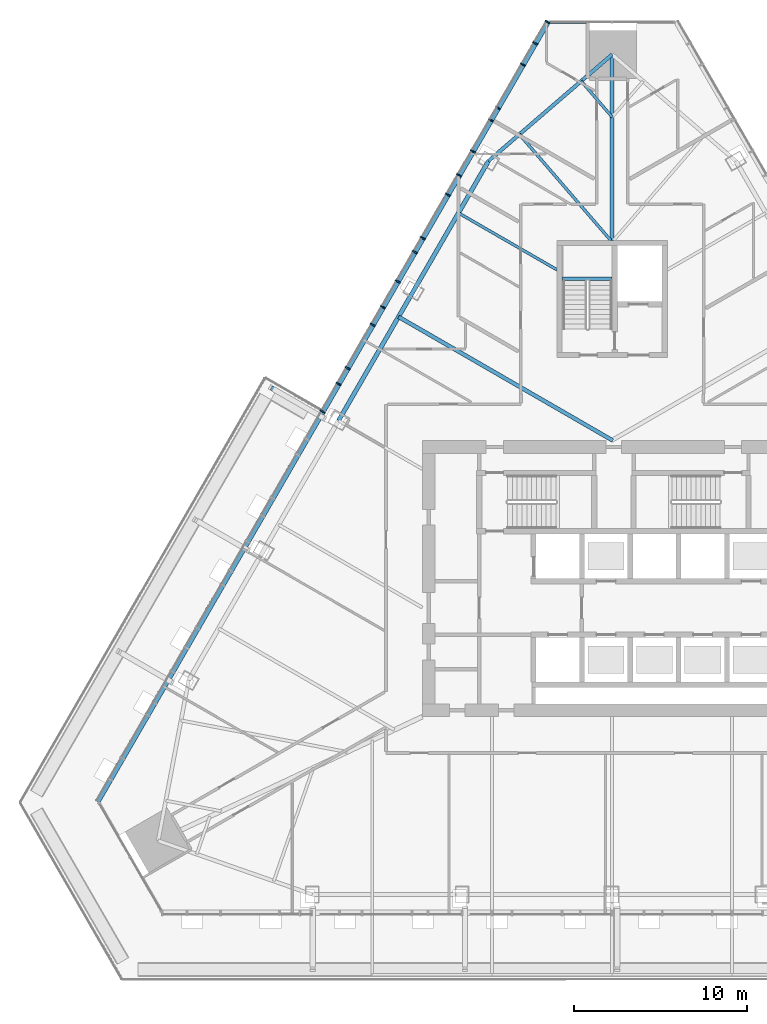
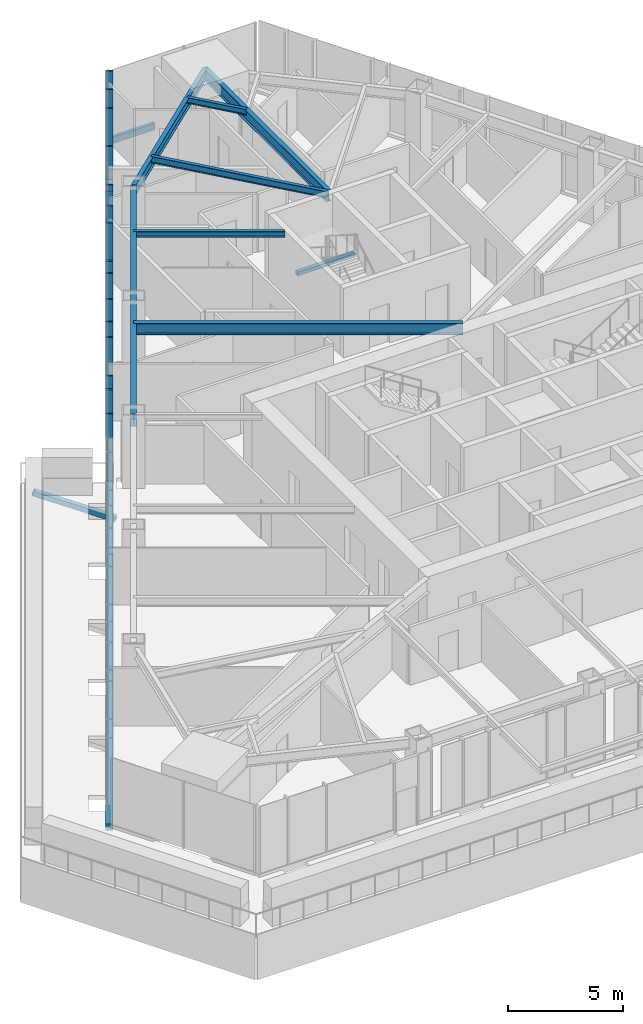
# One storey, part 6 of 23: 20 members, 8 beams, 2 elements without a shape of their own.
"""IFC4 building model written with IfcOpenShell, lengths in metres."""

from ifc_helpers import new_model, si_unit, direction, frame, origin, origin_2d, place, context, subcontext, project, spatial, rectangle, hollow_rectangle, i_section, extrude, material, layer, layer_set, material_profile, profile_set, type_object, element, aggregate, save


model = new_model("IFC4")

# Units and contexts
model_context = context("Model", 3, precision=1e-05, world=origin(), true_north=direction((0.0, 1.0)))
body_context = subcontext(model_context, "Body", "Model", "MODEL_VIEW")
ifc_project = project(units=[si_unit("LENGTHUNIT", "METRE"), si_unit("AREAUNIT", "SQUARE_METRE"), si_unit("VOLUMEUNIT", "CUBIC_METRE"), si_unit("PLANEANGLEUNIT", "RADIAN"), si_unit("MASSUNIT", "GRAM", prefix="KILO")], contexts=[model_context])

# Site, building, storey
site_placement = place(None, origin())
site = spatial("IfcSite", under=ifc_project, at=site_placement, CompositionType="ELEMENT")
building_placement = place(site_placement, origin())
building = spatial("IfcBuilding", under=site, at=building_placement, Name="Firuza Gate Tower and Library", CompositionType="ELEMENT")
storey_placement = place(building_placement, frame((0.0, 0.0, 190.89990234375)))
storey = spatial("IfcBuildingStorey", under=building, at=storey_placement, Name="L44", CompositionType="ELEMENT", Elevation=190.89990234375)

# Curtain wall, members
ifc_material_1 = material(Name="Aluminium 6063-T6", Category="aluminium")
ifc_layer_1 = layer(ifc_material_1, 0.14990234375)
ifc_layer_set_1 = layer_set([ifc_layer_1], Name="Unitised curtain wall, hotel")
curtain_wall_type_1 = type_object("IfcCurtainWallType", Name="Unitised curtain wall, hotel", PredefinedType="NOTDEFINED", material=ifc_layer_set_1)
placement = place(storey_placement, origin())
curtain_wall_1 = element("IfcCurtainWall", 1, at=placement, inside=storey, type_object=curtain_wall_type_1, Name="CW2 L44 W face", PredefinedType="NOTDEFINED")
ifc_material_2 = material(Name="Aluminium 6063-T6", Category="aluminium")
ifc_material_profile_1 = material_profile(ifc_material_2, rectangle(XDim=0.320068359375, YDim=0.080078125, at=origin_2d()))
ifc_profile_set_1 = profile_set([ifc_material_profile_1], Name="Aluminium 6063-T6")
member_type_1 = type_object("IfcMemberType", Name="Curtain wall mullion 80x320", PredefinedType="MULLION", material=ifc_profile_set_1)
member_1_placement = place(storey_placement, frame((71.26318359375, 107.249755859375, 0.150146484375), z_axis=(0.0, 0.0, 1.0), x_axis=(0.866025403784, -0.5, 0.0)))
member_1 = element("IfcMember", 2, at=member_1_placement, type_object=member_type_1, Name="Mullion", PredefinedType="MULLION", context=body_context, shape_type="SweptSolid", body=[
    extrude(rectangle(XDim=0.320068359375, YDim=0.080078125, at=origin_2d()), origin(), (0.0, 0.0, 1.0), 3.550048828125),
])
member_2_placement = place(storey_placement, frame((69.8330078125, 104.77294921875, 0.150146484375), z_axis=(0.0, 0.0, 1.0), x_axis=(0.866025403784, -0.5, 0.0)))
member_2 = element("IfcMember", 3, at=member_2_placement, type_object=member_type_1, Name="Mullion", PredefinedType="MULLION", context=body_context, shape_type="SweptSolid", body=[
    extrude(rectangle(XDim=0.320068359375, YDim=0.080078125, at=origin_2d()), origin(), (0.0, 0.0, 1.0), 3.550048828125),
])
member_3_placement = place(storey_placement, frame((68.383056640625, 102.26123046875, 0.150146484375), z_axis=(0.0, 0.0, 1.0), x_axis=(0.866025403784, -0.5, 0.0)))
member_3 = element("IfcMember", 4, at=member_3_placement, type_object=member_type_1, Name="Mullion", PredefinedType="MULLION", context=body_context, shape_type="SweptSolid", body=[
    extrude(rectangle(XDim=0.320068359375, YDim=0.080078125, at=origin_2d()), origin(), (0.0, 0.0, 1.0), 3.550048828125),
])
member_4_placement = place(storey_placement, frame((66.932861328125, 99.749755859375, 0.150146484375), z_axis=(0.0, 0.0, 1.0), x_axis=(0.866025403784, -0.5, 0.0)))
member_4 = element("IfcMember", 5, at=member_4_placement, type_object=member_type_1, Name="Mullion", PredefinedType="MULLION", context=body_context, shape_type="SweptSolid", body=[
    extrude(rectangle(XDim=0.320068359375, YDim=0.080078125, at=origin_2d()), origin(), (0.0, 0.0, 1.0), 3.550048828125),
])
member_5_placement = place(storey_placement, frame((65.48291015625, 97.23828125, 0.150146484375), z_axis=(0.0, 0.0, 1.0), x_axis=(0.866025403784, -0.5, 0.0)))
member_5 = element("IfcMember", 6, at=member_5_placement, type_object=member_type_1, Name="Mullion", PredefinedType="MULLION", context=body_context, shape_type="SweptSolid", body=[
    extrude(rectangle(XDim=0.320068359375, YDim=0.080078125, at=origin_2d()), origin(), (0.0, 0.0, 1.0), 3.550048828125),
])
member_6_placement = place(storey_placement, frame((64.032958984375, 94.726806640625, 0.150146484375), z_axis=(0.0, 0.0, 1.0), x_axis=(0.866025403784, -0.5, 0.0)))
member_6 = element("IfcMember", 7, at=member_6_placement, type_object=member_type_1, Name="Mullion", PredefinedType="MULLION", context=body_context, shape_type="SweptSolid", body=[
    extrude(rectangle(XDim=0.320068359375, YDim=0.080078125, at=origin_2d()), origin(), (0.0, 0.0, 1.0), 3.550048828125),
])
member_7_placement = place(storey_placement, frame((62.582763671875, 92.215087890625, 0.150146484375), z_axis=(0.0, 0.0, 1.0), x_axis=(0.866025403784, -0.5, 0.0)))
member_7 = element("IfcMember", 8, at=member_7_placement, type_object=member_type_1, Name="Mullion", PredefinedType="MULLION", context=body_context, shape_type="SweptSolid", body=[
    extrude(rectangle(XDim=0.320068359375, YDim=0.080078125, at=origin_2d()), origin(), (0.0, 0.0, 1.0), 3.550048828125),
])
member_8_placement = place(storey_placement, frame((61.1328125, 89.70361328125, 0.150146484375), z_axis=(0.0, 0.0, 1.0), x_axis=(0.866025403784, -0.5, 0.0)))
member_8 = element("IfcMember", 9, at=member_8_placement, type_object=member_type_1, Name="Mullion", PredefinedType="MULLION", context=body_context, shape_type="SweptSolid", body=[
    extrude(rectangle(XDim=0.320068359375, YDim=0.080078125, at=origin_2d()), origin(), (0.0, 0.0, 1.0), 3.550048828125),
])
member_9_placement = place(storey_placement, frame((59.682861328125, 87.192138671875, 0.150146484375), z_axis=(0.0, 0.0, 1.0), x_axis=(0.866025403784, -0.5, 0.0)))
member_9 = element("IfcMember", 10, at=member_9_placement, type_object=member_type_1, Name="Mullion", PredefinedType="MULLION", context=body_context, shape_type="SweptSolid", body=[
    extrude(rectangle(XDim=0.320068359375, YDim=0.080078125, at=origin_2d()), origin(), (0.0, 0.0, 1.0), 3.550048828125),
])
member_10_placement = place(storey_placement, frame((58.232666015625, 84.6806640625, 0.150146484375), z_axis=(0.0, 0.0, 1.0), x_axis=(0.866025403784, -0.5, 0.0)))
member_10 = element("IfcMember", 11, at=member_10_placement, type_object=member_type_1, Name="Mullion", PredefinedType="MULLION", context=body_context, shape_type="SweptSolid", body=[
    extrude(rectangle(XDim=0.320068359375, YDim=0.080078125, at=origin_2d()), origin(), (0.0, 0.0, 1.0), 3.550048828125),
])
member_11_placement = place(storey_placement, frame((70.546630859375, 106.009033203125, 0.150146484375), z_axis=(0.0, 0.0, 1.0), x_axis=(0.866025403784, -0.5, 0.0)))
member_11 = element("IfcMember", 12, at=member_11_placement, type_object=member_type_1, Name="Mullion", PredefinedType="MULLION", context=body_context, shape_type="SweptSolid", body=[
    extrude(rectangle(XDim=0.320068359375, YDim=0.080078125, at=origin_2d()), origin(), (0.0, 0.0, 1.0), 3.550048828125),
])
member_12_placement = place(storey_placement, frame((67.978515625, 101.560546875, 0.150146484375), z_axis=(0.0, 0.0, 1.0), x_axis=(0.866025403784, -0.5, 0.0)))
member_12 = element("IfcMember", 13, at=member_12_placement, type_object=member_type_1, Name="Mullion", PredefinedType="MULLION", context=body_context, shape_type="SweptSolid", body=[
    extrude(rectangle(XDim=0.320068359375, YDim=0.080078125, at=origin_2d()), origin(), (0.0, 0.0, 1.0), 1.73486328125),
])
member_13_placement = place(storey_placement, frame((66.134765625, 98.3671875, 0.150146484375), z_axis=(0.0, 0.0, 1.0), x_axis=(0.866025403784, -0.5, 0.0)))
member_13 = element("IfcMember", 14, at=member_13_placement, type_object=member_type_1, Name="Mullion", PredefinedType="MULLION", context=body_context, shape_type="SweptSolid", body=[
    extrude(rectangle(XDim=0.320068359375, YDim=0.080078125, at=origin_2d()), origin(), (0.0, 0.0, 1.0), 3.550048828125),
])
member_14_placement = place(storey_placement, frame((63.566650390625, 93.9189453125, 0.150146484375), z_axis=(0.0, 0.0, 1.0), x_axis=(0.866025403784, -0.5, 0.0)))
member_14 = element("IfcMember", 15, at=member_14_placement, type_object=member_type_1, Name="Mullion", PredefinedType="MULLION", context=body_context, shape_type="SweptSolid", body=[
    extrude(rectangle(XDim=0.320068359375, YDim=0.080078125, at=origin_2d()), origin(), (0.0, 0.0, 1.0), 3.550048828125),
])
member_15_placement = place(storey_placement, frame((61.722900390625, 90.7255859375, 0.150146484375), z_axis=(0.0, 0.0, 1.0), x_axis=(0.866025403784, -0.5, 0.0)))
member_15 = element("IfcMember", 16, at=member_15_placement, type_object=member_type_1, Name="Mullion", PredefinedType="MULLION", context=body_context, shape_type="SweptSolid", body=[
    extrude(rectangle(XDim=0.320068359375, YDim=0.080078125, at=origin_2d()), origin(), (0.0, 0.0, 1.0), 3.550048828125),
])
member_16_placement = place(storey_placement, frame((59.154541015625, 86.27734375, 0.150146484375), z_axis=(0.0, 0.0, 1.0), x_axis=(0.866025403784, -0.5, 0.0)))
member_16 = element("IfcMember", 17, at=member_16_placement, type_object=member_type_1, Name="Mullion", PredefinedType="MULLION", context=body_context, shape_type="SweptSolid", body=[
    extrude(rectangle(XDim=0.320068359375, YDim=0.080078125, at=origin_2d()), origin(), (0.0, 0.0, 1.0), 3.550048828125),
])

# Curtain wall, member
ifc_material_3 = material(Name="Aluminium 6063-T6", Category="aluminium")
ifc_layer_2 = layer(ifc_material_3, 0.14990234375)
ifc_layer_set_2 = layer_set([ifc_layer_2], Name="Corner curtain wall, chamfers")
curtain_wall_type_2 = type_object("IfcCurtainWallType", Name="Corner curtain wall, chamfers", PredefinedType="NOTDEFINED", material=ifc_layer_set_2)
curtain_wall_2 = element("IfcCurtainWall", 18, at=placement, inside=storey, type_object=curtain_wall_type_2, Name="CW4 L44 N corner", PredefinedType="NOTDEFINED")
ifc_material_4 = material(Name="Aluminium 6063-T6", Category="aluminium")
ifc_material_profile_2 = material_profile(ifc_material_4, rectangle(XDim=0.14990234375, YDim=0.35009765625, at=origin_2d()))
ifc_profile_set_2 = profile_set([ifc_material_profile_2], Name="Aluminium 6063-T6")
member_type_2 = type_object("IfcMemberType", Name="Curtain wall transom 350x150", PredefinedType="USERDEFINED", material=ifc_profile_set_2)
member_17_placement = place(storey_placement, frame((73.52001953125, 107.241943359375, -0.02490234375), z_axis=(-1.0, 0.0, 0.0), x_axis=(0.0, -1.0, 0.0)))
member_17 = element("IfcMember", 19, at=member_17_placement, type_object=member_type_2, Name="Transom", ObjectType="TRANSOM", PredefinedType="USERDEFINED", context=body_context, shape_type="SweptSolid", body=[
    extrude(rectangle(XDim=0.14990234375, YDim=0.35009765625, at=origin_2d()), origin(), (0.0, 0.0, 1.0), 2.163330078125),
])
aggregate(curtain_wall_2, [member_17])

# Member
ifc_material_5 = material(Name="Aluminium 6063-T6", Category="aluminium")
ifc_material_profile_3 = material_profile(ifc_material_5, rectangle(XDim=0.320068359375, YDim=0.35009765625, at=origin_2d()))
ifc_profile_set_3 = profile_set([ifc_material_profile_3], Name="Aluminium 6063-T6")
member_type_3 = type_object("IfcMemberType", Name="Curtain wall transom 350x320", PredefinedType="USERDEFINED", material=ifc_profile_set_3)
member_18_placement = place(storey_placement, frame((71.283203125, 107.284423828125, -0.02490234375), z_axis=(-0.500001660192, -0.86602444527, 0.0), x_axis=(0.86602444527, -0.500001660192, 0.0)))
member_18 = element("IfcMember", 20, at=member_18_placement, type_object=member_type_3, Name="Transom", ObjectType="TRANSOM", PredefinedType="USERDEFINED", context=body_context, shape_type="SweptSolid", body=[
    extrude(rectangle(XDim=0.320068359375, YDim=0.35009765625, at=origin_2d()), origin(), (0.0, 0.0, 1.0), 52.201416015625),
])

ifc_material_6 = material(Name="Aluminium 6063-T6", Category="aluminium")
ifc_material_profile_4 = material_profile(ifc_material_6, rectangle(XDim=0.320068359375, YDim=0.080078125, at=origin_2d()))
ifc_profile_set_4 = profile_set([ifc_material_profile_4], Name="Aluminium 6063-T6")
member_type_4 = type_object("IfcMemberType", Name="Curtain wall transom 80x320", PredefinedType="USERDEFINED", material=ifc_profile_set_4)
member_19_placement = place(storey_placement, frame((68.363037109375, 102.226806640625, 1.925048828125), z_axis=(-0.500012199891, -0.86601836006, 0.0), x_axis=(0.86601836006, -0.500012199891, 0.0)))
member_19 = element("IfcMember", 21, at=member_19_placement, type_object=member_type_4, Name="Transom", ObjectType="TRANSOM", PredefinedType="USERDEFINED", context=body_context, shape_type="SweptSolid", body=[
    extrude(rectangle(XDim=0.320068359375, YDim=0.080078125, at=origin_2d()), origin(), (0.0, 0.0, 1.0), 2.8203125),
])

aggregate(curtain_wall_1, [member_1, member_2, member_3, member_4, member_5, member_6, member_7, member_8, member_9, member_10, member_18, member_11, member_12, member_19, member_13, member_14, member_15, member_16])

ifc_material_7 = material(Name="Steel S355", Category="steel")
ifc_material_profile_5 = material_profile(ifc_material_7, hollow_rectangle(XDim=0.25390625, YDim=0.25390625, WallThickness=0.01171875, at=origin_2d()))
ifc_profile_set_5 = profile_set([ifc_material_profile_5], Name="Steel S355")
member_type_5 = type_object("IfcMemberType", Name="HSS254x254x13 Tray strut", PredefinedType="BRACE", material=ifc_profile_set_5)
member_20_placement = place(storey_placement, frame((58.330322265625, 84.27783203125, -1.669921875), z_axis=(-0.807140949077, 0.466018027999, 0.362423351763), x_axis=(-0.500012057535, -0.866018442252, 0.0)))
element("IfcMember", 22, at=member_20_placement, inside=storey, type_object=member_type_5, Name="Tray strut L44 col:L43:W3", PredefinedType="BRACE", context=body_context, shape_type="SweptSolid", body=[
    extrude(hollow_rectangle(XDim=0.25390625, YDim=0.25390625, WallThickness=0.01171875, at=origin_2d()), origin(), (0.0, 0.0, 1.0), 3.862548828125),
])

# Beams
ifc_material_8 = material(Name="Concrete C35/45", Category="concrete")
ifc_material_profile_6 = material_profile(ifc_material_8, rectangle(XDim=0.199951171875, YDim=0.199951171875, at=origin_2d()))
ifc_profile_set_6 = profile_set([ifc_material_profile_6], Name="Concrete C35/45")
beam_type_1 = type_object("IfcBeamType", Name="Stair landing bearer 200x200", PredefinedType="BEAM", material=ifc_profile_set_6)
beam_1_placement = place(storey_placement, frame((75.0, 92.3701171875, 1.650146484375), z_axis=(-1.0, 0.0, 0.0), x_axis=(0.0, -1.0, 0.0)))
element("IfcBeam", 23, at=beam_1_placement, inside=storey, type_object=beam_type_1, Name="Landing bearer L44 stair 3", PredefinedType="BEAM", context=body_context, shape_type="SweptSolid", body=[
    extrude(rectangle(XDim=0.199951171875, YDim=0.199951171875, at=origin_2d()), origin(), (0.0, 0.0, 1.0), 2.89990234375),
])
ifc_material_9 = material(Name="Steel S355", Category="steel")
ifc_material_profile_7 = material_profile(ifc_material_9, i_section(OverallWidth=0.1650390625, OverallDepth=0.31005859375, WebThickness=0.005859375, FlangeThickness=0.009765625, at=origin_2d()))
ifc_profile_set_7 = profile_set([ifc_material_profile_7], Name="Steel S355")
beam_type_2 = type_object("IfcBeamType", Name="W310x39 Floor beam", PredefinedType="JOIST", material=ifc_profile_set_7)
beam_2_placement = place(storey_placement, frame((73.209228515625, 103.823974609375, 3.545166015625), z_axis=(0.652701953737, -0.757614783111, 0.0), x_axis=(0.757614783111, 0.652701953737, 0.0)))
element("IfcBeam", 24, at=beam_2_placement, inside=storey, type_object=beam_type_2, Name="Floor beam L44 s70", PredefinedType="JOIST", context=body_context, shape_type="SweptSolid", body=[
    extrude(i_section(OverallWidth=0.1650390625, OverallDepth=0.31005859375, WebThickness=0.005859375, FlangeThickness=0.009765625, at=origin_2d()), origin(), (0.0, 0.0, 1.0), 2.74365234375),
])
beam_3_placement = place(storey_placement, frame((66.099365234375, 96.18603515625, 3.545166015625), z_axis=(0.866027472073, -0.499996417602, 0.0), x_axis=(0.499996417602, 0.866027472073, 0.0)))
element("IfcBeam", 25, at=beam_3_placement, inside=storey, type_object=beam_type_2, Name="Floor beam L44 s80", PredefinedType="JOIST", context=body_context, shape_type="SweptSolid", body=[
    extrude(i_section(OverallWidth=0.1650390625, OverallDepth=0.31005859375, WebThickness=0.005859375, FlangeThickness=0.009765625, at=origin_2d()), origin(), (0.0, 0.0, 1.0), 6.58251953125),
])
ifc_material_10 = material(Name="Steel S355", Category="steel")
ifc_material_profile_8 = material_profile(ifc_material_10, i_section(OverallWidth=0.1708984375, OverallDepth=0.35498046875, WebThickness=0.007080078125, FlangeThickness=0.01171875, at=origin_2d()))
ifc_profile_set_8 = profile_set([ifc_material_profile_8], Name="Steel S355")
beam_type_3 = type_object("IfcBeamType", Name="W360x51 Floor beam", PredefinedType="JOIST", material=ifc_profile_set_8)
beam_4_placement = place(storey_placement, frame((69.62744140625, 100.73779296875, 3.522705078125), z_axis=(0.65274228711, -0.757580033144, 0.0), x_axis=(0.757580033144, 0.65274228711, 0.0)))
element("IfcBeam", 26, at=beam_4_placement, inside=storey, type_object=beam_type_3, Name="Floor beam L44 s71", PredefinedType="JOIST", context=body_context, shape_type="SweptSolid", body=[
    extrude(i_section(OverallWidth=0.1708984375, OverallDepth=0.35498046875, WebThickness=0.007080078125, FlangeThickness=0.01171875, at=origin_2d()), origin(), (0.0, 0.0, 1.0), 8.101806640625),
])
ifc_material_11 = material(Name="Steel S355", Category="steel")
ifc_material_profile_9 = material_profile(ifc_material_11, i_section(OverallWidth=0.212890625, OverallDepth=0.5390625, WebThickness=0.01171875, FlangeThickness=0.018798828125, at=origin_2d()))
ifc_profile_set_9 = profile_set([ifc_material_profile_9], Name="Steel S355")
beam_type_4 = type_object("IfcBeamType", Name="W530x109 Edge beam", PredefinedType="SPANDREL", material=ifc_profile_set_9)
beam_5_placement = place(storey_placement, frame((75.0, 105.366943359375, 3.4306640625), z_axis=(-0.757586494154, -0.652734788314, 0.0), x_axis=(0.652734788314, -0.757586494154, 0.0)))
element("IfcBeam", 27, at=beam_5_placement, inside=storey, type_object=beam_type_4, Name="Edge beam L44 e70", PredefinedType="SPANDREL", context=body_context, shape_type="SweptSolid", body=[
    extrude(i_section(OverallWidth=0.212890625, OverallDepth=0.5390625, WebThickness=0.01171875, FlangeThickness=0.018798828125, at=origin_2d()), origin(), (0.0, 0.0, 1.0), 9.455810546875),
])
ifc_material_12 = material(Name="Steel S355", Category="steel")
ifc_material_profile_10 = material_profile(ifc_material_12, i_section(OverallWidth=0.22802734375, OverallDepth=0.60302734375, WebThickness=0.010498046875, FlangeThickness=0.014892578125, at=origin_2d()))
ifc_profile_set_10 = profile_set([ifc_material_profile_10], Name="Steel S355")
beam_type_5 = type_object("IfcBeamType", Name="W610x101 Floor beam", PredefinedType="JOIST", material=ifc_profile_set_10)
beam_6_placement = place(storey_placement, frame((62.625, 90.168212890625, 3.398681640625), z_axis=(0.866026494677, -0.499998110514, 0.0), x_axis=(0.499998110514, 0.866026494677, 0.0)))
element("IfcBeam", 28, at=beam_6_placement, inside=storey, type_object=beam_type_5, Name="Floor beam L44 s81", PredefinedType="JOIST", context=body_context, shape_type="SweptSolid", body=[
    extrude(i_section(OverallWidth=0.22802734375, OverallDepth=0.60302734375, WebThickness=0.010498046875, FlangeThickness=0.014892578125, at=origin_2d()), origin(), (0.0, 0.0, 1.0), 14.33642578125),
])
ifc_material_13 = material(Name="Steel S355", Category="steel")
ifc_material_profile_11 = material_profile(ifc_material_13, i_section(OverallWidth=0.22802734375, OverallDepth=0.60302734375, WebThickness=0.010498046875, FlangeThickness=0.014892578125, at=origin_2d()))
ifc_profile_set_11 = profile_set([ifc_material_profile_11], Name="Steel S355")
beam_type_6 = type_object("IfcBeamType", Name="W610x101 Girder", PredefinedType="BEAM", material=ifc_profile_set_11)
beam_7_placement = place(storey_placement, frame((75.0, 105.366943359375, 3.398681640625), z_axis=(0.0, -1.0, 0.0), x_axis=(1.0, 0.0, 0.0)))
element("IfcBeam", 29, at=beam_7_placement, inside=storey, type_object=beam_type_6, Name="Girder L44 gN", PredefinedType="BEAM", context=body_context, shape_type="SweptSolid", body=[
    extrude(i_section(OverallWidth=0.22802734375, OverallDepth=0.60302734375, WebThickness=0.010498046875, FlangeThickness=0.014892578125, at=origin_2d()), origin(), (0.0, 0.0, 1.0), 10.766845703125),
])
ifc_material_14 = material(Name="Steel S355", Category="steel")
ifc_material_profile_12 = material_profile(ifc_material_14, i_section(OverallWidth=0.2529296875, OverallDepth=0.677978515625, WebThickness=0.01171875, FlangeThickness=0.016357421875, at=origin_2d()))
ifc_profile_set_12 = profile_set([ifc_material_profile_12], Name="Steel S355")
beam_type_7 = type_object("IfcBeamType", Name="W690x125 Edge beam", PredefinedType="SPANDREL", material=ifc_profile_set_12)
beam_8_placement = place(storey_placement, frame((67.83642578125, 99.19482421875, 3.361083984375), z_axis=(-0.500001044169, -0.866024800932, 0.0), x_axis=(0.866024800932, -0.500001044169, 0.0)))
element("IfcBeam", 30, at=beam_8_placement, inside=storey, type_object=beam_type_7, Name="Edge beam L44 e80", PredefinedType="SPANDREL", context=body_context, shape_type="SweptSolid", body=[
    extrude(i_section(OverallWidth=0.2529296875, OverallDepth=0.677978515625, WebThickness=0.01171875, FlangeThickness=0.016357421875, at=origin_2d()), origin(), (0.0, 0.0, 1.0), 17.37158203125),
])

save(model, "model.ifc")
